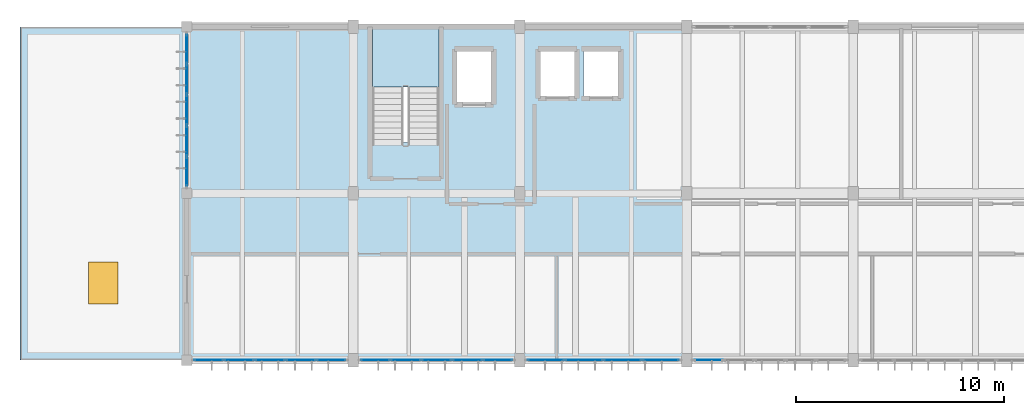
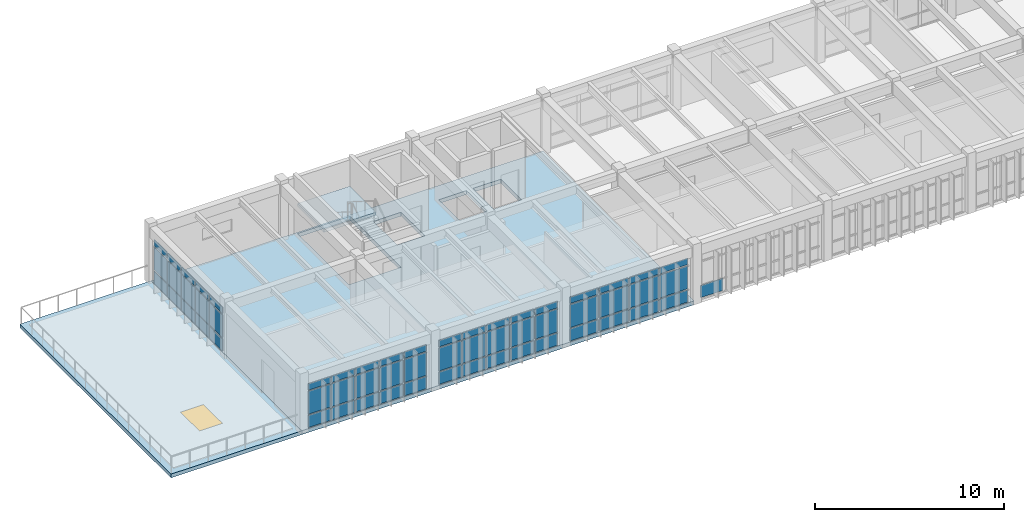
# One storey, part 8 of 15: 58 plates, 3 slabs, 1 window, 1 opening, 6 elements without a shape of their own.
"""IFC4 building model written with IfcOpenShell, lengths in metres."""

from ifc_helpers import new_model, si_unit, direction, frame, origin, origin_2d, place, context, subcontext, project, spatial, polyline, rectangle, outline, extrude, material, layer, layer_set, type_object, element, fill, aggregate, save


model = new_model("IFC4")

# Units and contexts
model_context = context("Model", 3, precision=1e-05, world=origin(), true_north=direction((0.0, 1.0)))
body_context = subcontext(model_context, "Body", "Model", "MODEL_VIEW")
ifc_project = project(units=[si_unit("LENGTHUNIT", "METRE"), si_unit("AREAUNIT", "SQUARE_METRE"), si_unit("VOLUMEUNIT", "CUBIC_METRE"), si_unit("PLANEANGLEUNIT", "RADIAN"), si_unit("MASSUNIT", "GRAM", prefix="KILO")], contexts=[model_context])

# Site, building, storey
site_placement = place(None, origin())
site = spatial("IfcSite", under=ifc_project, at=site_placement, CompositionType="ELEMENT")
building_placement = place(site_placement, origin())
building = spatial("IfcBuilding", under=site, at=building_placement, Name="Tlaxcora Railside Police Headquarters", CompositionType="ELEMENT")
storey_placement = place(building_placement, frame((0.0, 0.0, 25.800048828125)))
storey = spatial("IfcBuildingStorey", under=building, at=storey_placement, Name="L06", CompositionType="ELEMENT", Elevation=25.800048828125)

# Curtain wall, plate
ifc_material_1 = material(Name="Thermally broken low-E insulated glazing", Category="glass")
curtain_wall_type_1 = type_object("IfcCurtainWallType", Name="Unitised Curtain Wall Assembly CW-23", PredefinedType="NOTDEFINED", material=ifc_material_1)
curtain_wall_1_placement = place(storey_placement, origin())
curtain_wall_1 = element("IfcCurtainWall", 1, at=curtain_wall_1_placement, inside=storey, type_object=curtain_wall_type_1, Name="V5 L06 curtain wall 124", PredefinedType="NOTDEFINED")
ifc_layer_1 = layer(ifc_material_1, 0.0400390625, Name="Thermally broken low-E insulated glazing")
ifc_layer_set_1 = layer_set([ifc_layer_1], Name="Thermally broken low-E insulated glazing")
plate_type_1 = type_object("IfcPlateType", Name="Curtain Wall Infill Panel CW-17", PredefinedType="CURTAIN_PANEL", material=ifc_layer_set_1)
plate_1_placement = place(storey_placement, frame((38.260009765625, 76.800048828125, 0.080078125), z_axis=(0.0, 0.0, 1.0), x_axis=(1.0, 0.0, 0.0)))
plate_1 = element("IfcPlate", 2, at=plate_1_placement, type_object=plate_type_1, Name="CW panel 1.1", PredefinedType="CURTAIN_PANEL", context=body_context, shape_type="SweptSolid", body=[
    extrude(rectangle(XDim=1.360107421875, YDim=0.0400390625, at=origin_2d()), origin(), (0.0, 0.0, 1.0), 0.780029296875),
])
aggregate(curtain_wall_1, [plate_1])

# Curtain wall, plates
curtain_wall_2_placement = place(storey_placement, origin())
curtain_wall_2 = element("IfcCurtainWall", 3, at=curtain_wall_2_placement, inside=storey, type_object=curtain_wall_type_1, Name="V5 L06 curtain wall 132", PredefinedType="NOTDEFINED")
plate_2_placement = place(storey_placement, frame((13.199951171875, 91.739990234375, 0.080078125), z_axis=(0.0, 0.0, 1.0), x_axis=(0.0, -1.0, 0.0)))
plate_2 = element("IfcPlate", 4, at=plate_2_placement, type_object=plate_type_1, Name="CW panel 1.1", PredefinedType="CURTAIN_PANEL", context=body_context, shape_type="SweptSolid", body=[
    extrude(rectangle(XDim=1.360107421875, YDim=0.0400390625, at=origin_2d()), origin(), (0.0, 0.0, 1.0), 0.780029296875),
])
plate_3_placement = place(storey_placement, frame((13.199951171875, 91.739990234375, 0.93994140625), z_axis=(0.0, 0.0, 1.0), x_axis=(0.0, -1.0, 0.0)))
plate_3 = element("IfcPlate", 5, at=plate_3_placement, type_object=plate_type_1, Name="CW panel 1.2", PredefinedType="CURTAIN_PANEL", context=body_context, shape_type="SweptSolid", body=[
    extrude(rectangle(XDim=1.360107421875, YDim=0.0400390625, at=origin_2d()), origin(), (0.0, 0.0, 1.0), 1.47998046875),
])
plate_4_placement = place(storey_placement, frame((13.199951171875, 91.739990234375, 2.5), z_axis=(0.0, 0.0, 1.0), x_axis=(0.0, -1.0, 0.0)))
plate_4 = element("IfcPlate", 6, at=plate_4_placement, type_object=plate_type_1, Name="CW panel 1.3", PredefinedType="CURTAIN_PANEL", context=body_context, shape_type="SweptSolid", body=[
    extrude(rectangle(XDim=1.360107421875, YDim=0.0400390625, at=origin_2d()), origin(), (0.0, 0.0, 1.0), 0.409912109375),
])
plate_5_placement = place(storey_placement, frame((13.199951171875, 90.280029296875, 0.080078125), z_axis=(0.0, 0.0, 1.0), x_axis=(0.0, -1.0, 0.0)))
plate_5 = element("IfcPlate", 7, at=plate_5_placement, type_object=plate_type_1, Name="CW panel 2.1", PredefinedType="CURTAIN_PANEL", context=body_context, shape_type="SweptSolid", body=[
    extrude(rectangle(XDim=1.39990234375, YDim=0.0400390625, at=origin_2d()), origin(), (0.0, 0.0, 1.0), 0.780029296875),
])
plate_6_placement = place(storey_placement, frame((13.199951171875, 90.280029296875, 0.93994140625), z_axis=(0.0, 0.0, 1.0), x_axis=(0.0, -1.0, 0.0)))
plate_6 = element("IfcPlate", 8, at=plate_6_placement, type_object=plate_type_1, Name="CW panel 2.2", PredefinedType="CURTAIN_PANEL", context=body_context, shape_type="SweptSolid", body=[
    extrude(rectangle(XDim=1.39990234375, YDim=0.0400390625, at=origin_2d()), origin(), (0.0, 0.0, 1.0), 1.47998046875),
])
plate_7_placement = place(storey_placement, frame((13.199951171875, 90.280029296875, 2.5), z_axis=(0.0, 0.0, 1.0), x_axis=(0.0, -1.0, 0.0)))
plate_7 = element("IfcPlate", 9, at=plate_7_placement, type_object=plate_type_1, Name="CW panel 2.3", PredefinedType="CURTAIN_PANEL", context=body_context, shape_type="SweptSolid", body=[
    extrude(rectangle(XDim=1.39990234375, YDim=0.0400390625, at=origin_2d()), origin(), (0.0, 0.0, 1.0), 0.409912109375),
])
plate_8_placement = place(storey_placement, frame((13.199951171875, 88.800048828125, 0.080078125), z_axis=(0.0, 0.0, 1.0), x_axis=(0.0, -1.0, 0.0)))
plate_8 = element("IfcPlate", 10, at=plate_8_placement, type_object=plate_type_1, Name="CW panel 3.1", PredefinedType="CURTAIN_PANEL", context=body_context, shape_type="SweptSolid", body=[
    extrude(rectangle(XDim=1.39990234375, YDim=0.0400390625, at=origin_2d()), origin(), (0.0, 0.0, 1.0), 0.780029296875),
])
plate_9_placement = place(storey_placement, frame((13.199951171875, 88.800048828125, 0.93994140625), z_axis=(0.0, 0.0, 1.0), x_axis=(0.0, -1.0, 0.0)))
plate_9 = element("IfcPlate", 11, at=plate_9_placement, type_object=plate_type_1, Name="CW panel 3.2", PredefinedType="CURTAIN_PANEL", context=body_context, shape_type="SweptSolid", body=[
    extrude(rectangle(XDim=1.39990234375, YDim=0.0400390625, at=origin_2d()), origin(), (0.0, 0.0, 1.0), 1.47998046875),
])
plate_10_placement = place(storey_placement, frame((13.199951171875, 88.800048828125, 2.5), z_axis=(0.0, 0.0, 1.0), x_axis=(0.0, -1.0, 0.0)))
plate_10 = element("IfcPlate", 12, at=plate_10_placement, type_object=plate_type_1, Name="CW panel 3.3", PredefinedType="CURTAIN_PANEL", context=body_context, shape_type="SweptSolid", body=[
    extrude(rectangle(XDim=1.39990234375, YDim=0.0400390625, at=origin_2d()), origin(), (0.0, 0.0, 1.0), 0.409912109375),
])
plate_11_placement = place(storey_placement, frame((13.199951171875, 87.320068359375, 0.080078125), z_axis=(0.0, 0.0, 1.0), x_axis=(0.0, -1.0, 0.0)))
plate_11 = element("IfcPlate", 13, at=plate_11_placement, type_object=plate_type_1, Name="CW panel 4.1", PredefinedType="CURTAIN_PANEL", context=body_context, shape_type="SweptSolid", body=[
    extrude(rectangle(XDim=1.39990234375, YDim=0.0400390625, at=origin_2d()), origin(), (0.0, 0.0, 1.0), 0.780029296875),
])
plate_12_placement = place(storey_placement, frame((13.199951171875, 87.320068359375, 0.93994140625), z_axis=(0.0, 0.0, 1.0), x_axis=(0.0, -1.0, 0.0)))
plate_12 = element("IfcPlate", 14, at=plate_12_placement, type_object=plate_type_1, Name="CW panel 4.2", PredefinedType="CURTAIN_PANEL", context=body_context, shape_type="SweptSolid", body=[
    extrude(rectangle(XDim=1.39990234375, YDim=0.0400390625, at=origin_2d()), origin(), (0.0, 0.0, 1.0), 1.47998046875),
])
plate_13_placement = place(storey_placement, frame((13.199951171875, 87.320068359375, 2.5), z_axis=(0.0, 0.0, 1.0), x_axis=(0.0, -1.0, 0.0)))
plate_13 = element("IfcPlate", 15, at=plate_13_placement, type_object=plate_type_1, Name="CW panel 4.3", PredefinedType="CURTAIN_PANEL", context=body_context, shape_type="SweptSolid", body=[
    extrude(rectangle(XDim=1.39990234375, YDim=0.0400390625, at=origin_2d()), origin(), (0.0, 0.0, 1.0), 0.409912109375),
])
plate_14_placement = place(storey_placement, frame((13.199951171875, 85.860107421875, 0.080078125), z_axis=(0.0, 0.0, 1.0), x_axis=(0.0, -1.0, 0.0)))
plate_14 = element("IfcPlate", 16, at=plate_14_placement, type_object=plate_type_1, Name="CW panel 5.1", PredefinedType="CURTAIN_PANEL", context=body_context, shape_type="SweptSolid", body=[
    extrude(rectangle(XDim=1.360107421875, YDim=0.0400390625, at=origin_2d()), origin(), (0.0, 0.0, 1.0), 0.780029296875),
])
plate_15_placement = place(storey_placement, frame((13.199951171875, 85.860107421875, 0.93994140625), z_axis=(0.0, 0.0, 1.0), x_axis=(0.0, -1.0, 0.0)))
plate_15 = element("IfcPlate", 17, at=plate_15_placement, type_object=plate_type_1, Name="CW panel 5.2", PredefinedType="CURTAIN_PANEL", context=body_context, shape_type="SweptSolid", body=[
    extrude(rectangle(XDim=1.360107421875, YDim=0.0400390625, at=origin_2d()), origin(), (0.0, 0.0, 1.0), 1.47998046875),
])
plate_16_placement = place(storey_placement, frame((13.199951171875, 85.860107421875, 2.5), z_axis=(0.0, 0.0, 1.0), x_axis=(0.0, -1.0, 0.0)))
plate_16 = element("IfcPlate", 18, at=plate_16_placement, type_object=plate_type_1, Name="CW panel 5.3", PredefinedType="CURTAIN_PANEL", context=body_context, shape_type="SweptSolid", body=[
    extrude(rectangle(XDim=1.360107421875, YDim=0.0400390625, at=origin_2d()), origin(), (0.0, 0.0, 1.0), 0.409912109375),
])
aggregate(curtain_wall_2, [plate_2, plate_3, plate_4, plate_5, plate_6, plate_7, plate_8, plate_9, plate_10, plate_11, plate_12, plate_13, plate_14, plate_15, plate_16])

curtain_wall_type_2 = type_object("IfcCurtainWallType", Name="Unitised Curtain Wall Assembly CW-15", PredefinedType="NOTDEFINED", material=ifc_material_1)
curtain_wall_3_placement = place(storey_placement, origin())
curtain_wall_3 = element("IfcCurtainWall", 19, at=curtain_wall_3_placement, inside=storey, type_object=curtain_wall_type_2, Name="V5 L06 curtain wall 122", PredefinedType="NOTDEFINED")
ifc_layer_2 = layer(ifc_material_1, 0.031982421875, Name="Thermally broken low-E insulated glazing")
ifc_layer_set_2 = layer_set([ifc_layer_2], Name="Thermally broken low-E insulated glazing")
plate_type_2 = type_object("IfcPlateType", Name="Curtain Wall Infill Panel CW-41", PredefinedType="CURTAIN_PANEL", material=ifc_layer_set_2)
plate_17_placement = place(storey_placement, frame((22.2587890625, 76.800048828125, 0.074951171875), z_axis=(0.0, 0.0, 1.0), x_axis=(1.0, 0.0, 0.0)))
plate_17 = element("IfcPlate", 20, at=plate_17_placement, type_object=plate_type_2, Name="CW panel 1.1", PredefinedType="CURTAIN_PANEL", context=body_context, shape_type="SweptSolid", body=[
    extrude(rectangle(XDim=1.367431640625, YDim=0.031982421875, at=origin_2d()), origin(), (0.0, 0.0, 1.0), 0.78759765625),
])
plate_18_placement = place(storey_placement, frame((22.2587890625, 76.800048828125, 0.9375), z_axis=(0.0, 0.0, 1.0), x_axis=(1.0, 0.0, 0.0)))
plate_18 = element("IfcPlate", 21, at=plate_18_placement, type_object=plate_type_2, Name="CW panel 1.2", PredefinedType="CURTAIN_PANEL", context=body_context, shape_type="SweptSolid", body=[
    extrude(rectangle(XDim=1.367431640625, YDim=0.031982421875, at=origin_2d()), origin(), (0.0, 0.0, 1.0), 1.485107421875),
])
plate_19_placement = place(storey_placement, frame((22.2587890625, 76.800048828125, 2.49755859375), z_axis=(0.0, 0.0, 1.0), x_axis=(1.0, 0.0, 0.0)))
plate_19 = element("IfcPlate", 22, at=plate_19_placement, type_object=plate_type_2, Name="CW panel 1.3", PredefinedType="CURTAIN_PANEL", context=body_context, shape_type="SweptSolid", body=[
    extrude(rectangle(XDim=1.367431640625, YDim=0.031982421875, at=origin_2d()), origin(), (0.0, 0.0, 1.0), 0.41748046875),
])
plate_20_placement = place(storey_placement, frame((23.719970703125, 76.800048828125, 0.074951171875), z_axis=(0.0, 0.0, 1.0), x_axis=(1.0, 0.0, 0.0)))
plate_20 = element("IfcPlate", 23, at=plate_20_placement, type_object=plate_type_2, Name="CW panel 2.1", PredefinedType="CURTAIN_PANEL", context=body_context, shape_type="SweptSolid", body=[
    extrude(rectangle(XDim=1.405029296875, YDim=0.031982421875, at=origin_2d()), origin(), (0.0, 0.0, 1.0), 0.78759765625),
])
plate_21_placement = place(storey_placement, frame((23.719970703125, 76.800048828125, 0.9375), z_axis=(0.0, 0.0, 1.0), x_axis=(1.0, 0.0, 0.0)))
plate_21 = element("IfcPlate", 24, at=plate_21_placement, type_object=plate_type_2, Name="CW panel 2.2", PredefinedType="CURTAIN_PANEL", context=body_context, shape_type="SweptSolid", body=[
    extrude(rectangle(XDim=1.405029296875, YDim=0.031982421875, at=origin_2d()), origin(), (0.0, 0.0, 1.0), 1.485107421875),
])
plate_22_placement = place(storey_placement, frame((23.719970703125, 76.800048828125, 2.49755859375), z_axis=(0.0, 0.0, 1.0), x_axis=(1.0, 0.0, 0.0)))
plate_22 = element("IfcPlate", 25, at=plate_22_placement, type_object=plate_type_2, Name="CW panel 2.3", PredefinedType="CURTAIN_PANEL", context=body_context, shape_type="SweptSolid", body=[
    extrude(rectangle(XDim=1.405029296875, YDim=0.031982421875, at=origin_2d()), origin(), (0.0, 0.0, 1.0), 0.41748046875),
])
plate_23_placement = place(storey_placement, frame((25.199951171875, 76.800048828125, 0.074951171875), z_axis=(0.0, 0.0, 1.0), x_axis=(1.0, 0.0, 0.0)))
plate_23 = element("IfcPlate", 26, at=plate_23_placement, type_object=plate_type_2, Name="CW panel 3.1", PredefinedType="CURTAIN_PANEL", context=body_context, shape_type="SweptSolid", body=[
    extrude(rectangle(XDim=1.405029296875, YDim=0.031982421875, at=origin_2d()), origin(), (0.0, 0.0, 1.0), 0.78759765625),
])
plate_24_placement = place(storey_placement, frame((25.199951171875, 76.800048828125, 0.9375), z_axis=(0.0, 0.0, 1.0), x_axis=(1.0, 0.0, 0.0)))
plate_24 = element("IfcPlate", 27, at=plate_24_placement, type_object=plate_type_2, Name="CW panel 3.2", PredefinedType="CURTAIN_PANEL", context=body_context, shape_type="SweptSolid", body=[
    extrude(rectangle(XDim=1.405029296875, YDim=0.031982421875, at=origin_2d()), origin(), (0.0, 0.0, 1.0), 1.485107421875),
])
plate_25_placement = place(storey_placement, frame((25.199951171875, 76.800048828125, 2.49755859375), z_axis=(0.0, 0.0, 1.0), x_axis=(1.0, 0.0, 0.0)))
plate_25 = element("IfcPlate", 28, at=plate_25_placement, type_object=plate_type_2, Name="CW panel 3.3", PredefinedType="CURTAIN_PANEL", context=body_context, shape_type="SweptSolid", body=[
    extrude(rectangle(XDim=1.405029296875, YDim=0.031982421875, at=origin_2d()), origin(), (0.0, 0.0, 1.0), 0.41748046875),
])
plate_26_placement = place(storey_placement, frame((26.679931640625, 76.800048828125, 0.074951171875), z_axis=(0.0, 0.0, 1.0), x_axis=(1.0, 0.0, 0.0)))
plate_26 = element("IfcPlate", 29, at=plate_26_placement, type_object=plate_type_2, Name="CW panel 4.1", PredefinedType="CURTAIN_PANEL", context=body_context, shape_type="SweptSolid", body=[
    extrude(rectangle(XDim=1.405029296875, YDim=0.031982421875, at=origin_2d()), origin(), (0.0, 0.0, 1.0), 0.78759765625),
])
plate_27_placement = place(storey_placement, frame((26.679931640625, 76.800048828125, 0.9375), z_axis=(0.0, 0.0, 1.0), x_axis=(1.0, 0.0, 0.0)))
plate_27 = element("IfcPlate", 30, at=plate_27_placement, type_object=plate_type_2, Name="CW panel 4.2", PredefinedType="CURTAIN_PANEL", context=body_context, shape_type="SweptSolid", body=[
    extrude(rectangle(XDim=1.405029296875, YDim=0.031982421875, at=origin_2d()), origin(), (0.0, 0.0, 1.0), 1.485107421875),
])
plate_28_placement = place(storey_placement, frame((26.679931640625, 76.800048828125, 2.49755859375), z_axis=(0.0, 0.0, 1.0), x_axis=(1.0, 0.0, 0.0)))
plate_28 = element("IfcPlate", 31, at=plate_28_placement, type_object=plate_type_2, Name="CW panel 4.3", PredefinedType="CURTAIN_PANEL", context=body_context, shape_type="SweptSolid", body=[
    extrude(rectangle(XDim=1.405029296875, YDim=0.031982421875, at=origin_2d()), origin(), (0.0, 0.0, 1.0), 0.41748046875),
])
plate_29_placement = place(storey_placement, frame((28.141357421875, 76.800048828125, 0.074951171875), z_axis=(0.0, 0.0, 1.0), x_axis=(1.0, 0.0, 0.0)))
plate_29 = element("IfcPlate", 32, at=plate_29_placement, type_object=plate_type_2, Name="CW panel 5.1", PredefinedType="CURTAIN_PANEL", context=body_context, shape_type="SweptSolid", body=[
    extrude(rectangle(XDim=1.367431640625, YDim=0.031982421875, at=origin_2d()), origin(), (0.0, 0.0, 1.0), 0.78759765625),
])
plate_30_placement = place(storey_placement, frame((28.141357421875, 76.800048828125, 0.9375), z_axis=(0.0, 0.0, 1.0), x_axis=(1.0, 0.0, 0.0)))
plate_30 = element("IfcPlate", 33, at=plate_30_placement, type_object=plate_type_2, Name="CW panel 5.2", PredefinedType="CURTAIN_PANEL", context=body_context, shape_type="SweptSolid", body=[
    extrude(rectangle(XDim=1.367431640625, YDim=0.031982421875, at=origin_2d()), origin(), (0.0, 0.0, 1.0), 1.485107421875),
])
plate_31_placement = place(storey_placement, frame((28.141357421875, 76.800048828125, 2.49755859375), z_axis=(0.0, 0.0, 1.0), x_axis=(1.0, 0.0, 0.0)))
plate_31 = element("IfcPlate", 34, at=plate_31_placement, type_object=plate_type_2, Name="CW panel 5.3", PredefinedType="CURTAIN_PANEL", context=body_context, shape_type="SweptSolid", body=[
    extrude(rectangle(XDim=1.367431640625, YDim=0.031982421875, at=origin_2d()), origin(), (0.0, 0.0, 1.0), 0.41748046875),
])
aggregate(curtain_wall_3, [plate_17, plate_18, plate_19, plate_20, plate_21, plate_22, plate_23, plate_24, plate_25, plate_26, plate_27, plate_28, plate_29, plate_30, plate_31])

curtain_wall_type_3 = type_object("IfcCurtainWallType", Name="Unitised Curtain Wall Assembly CW-83", PredefinedType="NOTDEFINED", material=ifc_material_1)
curtain_wall_4_placement = place(storey_placement, origin())
curtain_wall_4 = element("IfcCurtainWall", 35, at=curtain_wall_4_placement, inside=storey, type_object=curtain_wall_type_3, Name="V5 L06 curtain wall 123", PredefinedType="NOTDEFINED")
ifc_layer_3 = layer(ifc_material_1, 0.035888671875, Name="Thermally broken low-E insulated glazing")
ifc_layer_set_3 = layer_set([ifc_layer_3], Name="Thermally broken low-E insulated glazing")
plate_type_3 = type_object("IfcPlateType", Name="Curtain Wall Infill Panel CW-72", PredefinedType="CURTAIN_PANEL", material=ifc_layer_set_3)
plate_32_placement = place(storey_placement, frame((30.445068359375, 76.800048828125, 0.080078125), z_axis=(0.0, 0.0, 1.0), x_axis=(1.0, 0.0, 0.0)))
plate_32 = element("IfcPlate", 36, at=plate_32_placement, type_object=plate_type_3, Name="CW panel 1.1", PredefinedType="CURTAIN_PANEL", context=body_context, shape_type="SweptSolid", body=[
    extrude(rectangle(XDim=1.72998046875, YDim=0.035888671875, at=origin_2d()), origin(), (0.0, 0.0, 1.0), 0.780029296875),
])
plate_33_placement = place(storey_placement, frame((30.445068359375, 76.800048828125, 0.93994140625), z_axis=(0.0, 0.0, 1.0), x_axis=(1.0, 0.0, 0.0)))
plate_33 = element("IfcPlate", 37, at=plate_33_placement, type_object=plate_type_3, Name="CW panel 1.2", PredefinedType="CURTAIN_PANEL", context=body_context, shape_type="SweptSolid", body=[
    extrude(rectangle(XDim=1.72998046875, YDim=0.035888671875, at=origin_2d()), origin(), (0.0, 0.0, 1.0), 1.47998046875),
])
plate_34_placement = place(storey_placement, frame((30.445068359375, 76.800048828125, 2.5), z_axis=(0.0, 0.0, 1.0), x_axis=(1.0, 0.0, 0.0)))
plate_34 = element("IfcPlate", 38, at=plate_34_placement, type_object=plate_type_3, Name="CW panel 1.3", PredefinedType="CURTAIN_PANEL", context=body_context, shape_type="SweptSolid", body=[
    extrude(rectangle(XDim=1.72998046875, YDim=0.035888671875, at=origin_2d()), origin(), (0.0, 0.0, 1.0), 0.409912109375),
])
plate_35_placement = place(storey_placement, frame((32.27490234375, 76.800048828125, 0.080078125), z_axis=(0.0, 0.0, 1.0), x_axis=(1.0, 0.0, 0.0)))
plate_35 = element("IfcPlate", 39, at=plate_35_placement, type_object=plate_type_3, Name="CW panel 2.1", PredefinedType="CURTAIN_PANEL", context=body_context, shape_type="SweptSolid", body=[
    extrude(rectangle(XDim=1.77001953125, YDim=0.035888671875, at=origin_2d()), origin(), (0.0, 0.0, 1.0), 0.780029296875),
])
plate_36_placement = place(storey_placement, frame((32.27490234375, 76.800048828125, 0.93994140625), z_axis=(0.0, 0.0, 1.0), x_axis=(1.0, 0.0, 0.0)))
plate_36 = element("IfcPlate", 40, at=plate_36_placement, type_object=plate_type_3, Name="CW panel 2.2", PredefinedType="CURTAIN_PANEL", context=body_context, shape_type="SweptSolid", body=[
    extrude(rectangle(XDim=1.77001953125, YDim=0.035888671875, at=origin_2d()), origin(), (0.0, 0.0, 1.0), 1.47998046875),
])
plate_37_placement = place(storey_placement, frame((32.27490234375, 76.800048828125, 2.5), z_axis=(0.0, 0.0, 1.0), x_axis=(1.0, 0.0, 0.0)))
plate_37 = element("IfcPlate", 41, at=plate_37_placement, type_object=plate_type_3, Name="CW panel 2.3", PredefinedType="CURTAIN_PANEL", context=body_context, shape_type="SweptSolid", body=[
    extrude(rectangle(XDim=1.77001953125, YDim=0.035888671875, at=origin_2d()), origin(), (0.0, 0.0, 1.0), 0.409912109375),
])
plate_38_placement = place(storey_placement, frame((34.125, 76.800048828125, 0.080078125), z_axis=(0.0, 0.0, 1.0), x_axis=(1.0, 0.0, 0.0)))
plate_38 = element("IfcPlate", 42, at=plate_38_placement, type_object=plate_type_3, Name="CW panel 3.1", PredefinedType="CURTAIN_PANEL", context=body_context, shape_type="SweptSolid", body=[
    extrude(rectangle(XDim=1.77001953125, YDim=0.035888671875, at=origin_2d()), origin(), (0.0, 0.0, 1.0), 0.780029296875),
])
plate_39_placement = place(storey_placement, frame((34.125, 76.800048828125, 0.93994140625), z_axis=(0.0, 0.0, 1.0), x_axis=(1.0, 0.0, 0.0)))
plate_39 = element("IfcPlate", 43, at=plate_39_placement, type_object=plate_type_3, Name="CW panel 3.2", PredefinedType="CURTAIN_PANEL", context=body_context, shape_type="SweptSolid", body=[
    extrude(rectangle(XDim=1.77001953125, YDim=0.035888671875, at=origin_2d()), origin(), (0.0, 0.0, 1.0), 1.47998046875),
])
plate_40_placement = place(storey_placement, frame((34.125, 76.800048828125, 2.5), z_axis=(0.0, 0.0, 1.0), x_axis=(1.0, 0.0, 0.0)))
plate_40 = element("IfcPlate", 44, at=plate_40_placement, type_object=plate_type_3, Name="CW panel 3.3", PredefinedType="CURTAIN_PANEL", context=body_context, shape_type="SweptSolid", body=[
    extrude(rectangle(XDim=1.77001953125, YDim=0.035888671875, at=origin_2d()), origin(), (0.0, 0.0, 1.0), 0.409912109375),
])
plate_41_placement = place(storey_placement, frame((35.955078125, 76.800048828125, 0.080078125), z_axis=(0.0, 0.0, 1.0), x_axis=(1.0, 0.0, 0.0)))
plate_41 = element("IfcPlate", 45, at=plate_41_placement, type_object=plate_type_3, Name="CW panel 4.1", PredefinedType="CURTAIN_PANEL", context=body_context, shape_type="SweptSolid", body=[
    extrude(rectangle(XDim=1.72998046875, YDim=0.035888671875, at=origin_2d()), origin(), (0.0, 0.0, 1.0), 0.780029296875),
])
plate_42_placement = place(storey_placement, frame((35.955078125, 76.800048828125, 0.93994140625), z_axis=(0.0, 0.0, 1.0), x_axis=(1.0, 0.0, 0.0)))
plate_42 = element("IfcPlate", 46, at=plate_42_placement, type_object=plate_type_3, Name="CW panel 4.2", PredefinedType="CURTAIN_PANEL", context=body_context, shape_type="SweptSolid", body=[
    extrude(rectangle(XDim=1.72998046875, YDim=0.035888671875, at=origin_2d()), origin(), (0.0, 0.0, 1.0), 1.47998046875),
])
plate_43_placement = place(storey_placement, frame((35.955078125, 76.800048828125, 2.5), z_axis=(0.0, 0.0, 1.0), x_axis=(1.0, 0.0, 0.0)))
plate_43 = element("IfcPlate", 47, at=plate_43_placement, type_object=plate_type_3, Name="CW panel 4.3", PredefinedType="CURTAIN_PANEL", context=body_context, shape_type="SweptSolid", body=[
    extrude(rectangle(XDim=1.72998046875, YDim=0.035888671875, at=origin_2d()), origin(), (0.0, 0.0, 1.0), 0.409912109375),
])
aggregate(curtain_wall_4, [plate_32, plate_33, plate_34, plate_35, plate_36, plate_37, plate_38, plate_39, plate_40, plate_41, plate_42, plate_43])

curtain_wall_type_4 = type_object("IfcCurtainWallType", Name="Unitised Curtain Wall Assembly CW-38", PredefinedType="NOTDEFINED", material=ifc_material_1)
curtain_wall_5_placement = place(storey_placement, origin())
curtain_wall_5 = element("IfcCurtainWall", 48, at=curtain_wall_5_placement, inside=storey, type_object=curtain_wall_type_4, Name="V5 L06 curtain wall 121", PredefinedType="NOTDEFINED")
ifc_layer_4 = layer(ifc_material_1, 0.028076171875, Name="Thermally broken low-E insulated glazing")
ifc_layer_set_4 = layer_set([ifc_layer_4], Name="Thermally broken low-E insulated glazing")
plate_type_4 = type_object("IfcPlateType", Name="Curtain Wall Infill Panel CW-92", PredefinedType="CURTAIN_PANEL", material=ifc_layer_set_4)
plate_44_placement = place(storey_placement, frame((14.2587890625, 76.800048828125, 0.074951171875), z_axis=(0.0, 0.0, 1.0), x_axis=(1.0, 0.0, 0.0)))
plate_44 = element("IfcPlate", 49, at=plate_44_placement, type_object=plate_type_4, Name="CW panel 1.1", PredefinedType="CURTAIN_PANEL", context=body_context, shape_type="SweptSolid", body=[
    extrude(rectangle(XDim=1.367431640625, YDim=0.028076171875, at=origin_2d()), origin(), (0.0, 0.0, 1.0), 0.78759765625),
])
plate_45_placement = place(storey_placement, frame((14.2587890625, 76.800048828125, 0.9375), z_axis=(0.0, 0.0, 1.0), x_axis=(1.0, 0.0, 0.0)))
plate_45 = element("IfcPlate", 50, at=plate_45_placement, type_object=plate_type_4, Name="CW panel 1.2", PredefinedType="CURTAIN_PANEL", context=body_context, shape_type="SweptSolid", body=[
    extrude(rectangle(XDim=1.367431640625, YDim=0.028076171875, at=origin_2d()), origin(), (0.0, 0.0, 1.0), 1.485107421875),
])
plate_46_placement = place(storey_placement, frame((14.2587890625, 76.800048828125, 2.49755859375), z_axis=(0.0, 0.0, 1.0), x_axis=(1.0, 0.0, 0.0)))
plate_46 = element("IfcPlate", 51, at=plate_46_placement, type_object=plate_type_4, Name="CW panel 1.3", PredefinedType="CURTAIN_PANEL", context=body_context, shape_type="SweptSolid", body=[
    extrude(rectangle(XDim=1.367431640625, YDim=0.028076171875, at=origin_2d()), origin(), (0.0, 0.0, 1.0), 0.41748046875),
])
plate_47_placement = place(storey_placement, frame((15.719970703125, 76.800048828125, 0.074951171875), z_axis=(0.0, 0.0, 1.0), x_axis=(1.0, 0.0, 0.0)))
plate_47 = element("IfcPlate", 52, at=plate_47_placement, type_object=plate_type_4, Name="CW panel 2.1", PredefinedType="CURTAIN_PANEL", context=body_context, shape_type="SweptSolid", body=[
    extrude(rectangle(XDim=1.405029296875, YDim=0.028076171875, at=origin_2d()), origin(), (0.0, 0.0, 1.0), 0.78759765625),
])
plate_48_placement = place(storey_placement, frame((15.719970703125, 76.800048828125, 0.9375), z_axis=(0.0, 0.0, 1.0), x_axis=(1.0, 0.0, 0.0)))
plate_48 = element("IfcPlate", 53, at=plate_48_placement, type_object=plate_type_4, Name="CW panel 2.2", PredefinedType="CURTAIN_PANEL", context=body_context, shape_type="SweptSolid", body=[
    extrude(rectangle(XDim=1.405029296875, YDim=0.028076171875, at=origin_2d()), origin(), (0.0, 0.0, 1.0), 1.485107421875),
])
plate_49_placement = place(storey_placement, frame((15.719970703125, 76.800048828125, 2.49755859375), z_axis=(0.0, 0.0, 1.0), x_axis=(1.0, 0.0, 0.0)))
plate_49 = element("IfcPlate", 54, at=plate_49_placement, type_object=plate_type_4, Name="CW panel 2.3", PredefinedType="CURTAIN_PANEL", context=body_context, shape_type="SweptSolid", body=[
    extrude(rectangle(XDim=1.405029296875, YDim=0.028076171875, at=origin_2d()), origin(), (0.0, 0.0, 1.0), 0.41748046875),
])
plate_50_placement = place(storey_placement, frame((17.199951171875, 76.800048828125, 0.074951171875), z_axis=(0.0, 0.0, 1.0), x_axis=(1.0, 0.0, 0.0)))
plate_50 = element("IfcPlate", 55, at=plate_50_placement, type_object=plate_type_4, Name="CW panel 3.1", PredefinedType="CURTAIN_PANEL", context=body_context, shape_type="SweptSolid", body=[
    extrude(rectangle(XDim=1.405029296875, YDim=0.028076171875, at=origin_2d()), origin(), (0.0, 0.0, 1.0), 0.78759765625),
])
plate_51_placement = place(storey_placement, frame((17.199951171875, 76.800048828125, 0.9375), z_axis=(0.0, 0.0, 1.0), x_axis=(1.0, 0.0, 0.0)))
plate_51 = element("IfcPlate", 56, at=plate_51_placement, type_object=plate_type_4, Name="CW panel 3.2", PredefinedType="CURTAIN_PANEL", context=body_context, shape_type="SweptSolid", body=[
    extrude(rectangle(XDim=1.405029296875, YDim=0.028076171875, at=origin_2d()), origin(), (0.0, 0.0, 1.0), 1.485107421875),
])
plate_52_placement = place(storey_placement, frame((17.199951171875, 76.800048828125, 2.49755859375), z_axis=(0.0, 0.0, 1.0), x_axis=(1.0, 0.0, 0.0)))
plate_52 = element("IfcPlate", 57, at=plate_52_placement, type_object=plate_type_4, Name="CW panel 3.3", PredefinedType="CURTAIN_PANEL", context=body_context, shape_type="SweptSolid", body=[
    extrude(rectangle(XDim=1.405029296875, YDim=0.028076171875, at=origin_2d()), origin(), (0.0, 0.0, 1.0), 0.41748046875),
])
plate_53_placement = place(storey_placement, frame((18.679931640625, 76.800048828125, 0.074951171875), z_axis=(0.0, 0.0, 1.0), x_axis=(1.0, 0.0, 0.0)))
plate_53 = element("IfcPlate", 58, at=plate_53_placement, type_object=plate_type_4, Name="CW panel 4.1", PredefinedType="CURTAIN_PANEL", context=body_context, shape_type="SweptSolid", body=[
    extrude(rectangle(XDim=1.405029296875, YDim=0.028076171875, at=origin_2d()), origin(), (0.0, 0.0, 1.0), 0.78759765625),
])
plate_54_placement = place(storey_placement, frame((18.679931640625, 76.800048828125, 0.9375), z_axis=(0.0, 0.0, 1.0), x_axis=(1.0, 0.0, 0.0)))
plate_54 = element("IfcPlate", 59, at=plate_54_placement, type_object=plate_type_4, Name="CW panel 4.2", PredefinedType="CURTAIN_PANEL", context=body_context, shape_type="SweptSolid", body=[
    extrude(rectangle(XDim=1.405029296875, YDim=0.028076171875, at=origin_2d()), origin(), (0.0, 0.0, 1.0), 1.485107421875),
])
plate_55_placement = place(storey_placement, frame((18.679931640625, 76.800048828125, 2.49755859375), z_axis=(0.0, 0.0, 1.0), x_axis=(1.0, 0.0, 0.0)))
plate_55 = element("IfcPlate", 60, at=plate_55_placement, type_object=plate_type_4, Name="CW panel 4.3", PredefinedType="CURTAIN_PANEL", context=body_context, shape_type="SweptSolid", body=[
    extrude(rectangle(XDim=1.405029296875, YDim=0.028076171875, at=origin_2d()), origin(), (0.0, 0.0, 1.0), 0.41748046875),
])
plate_56_placement = place(storey_placement, frame((20.141357421875, 76.800048828125, 0.074951171875), z_axis=(0.0, 0.0, 1.0), x_axis=(1.0, 0.0, 0.0)))
plate_56 = element("IfcPlate", 61, at=plate_56_placement, type_object=plate_type_4, Name="CW panel 5.1", PredefinedType="CURTAIN_PANEL", context=body_context, shape_type="SweptSolid", body=[
    extrude(rectangle(XDim=1.367431640625, YDim=0.028076171875, at=origin_2d()), origin(), (0.0, 0.0, 1.0), 0.78759765625),
])
plate_57_placement = place(storey_placement, frame((20.141357421875, 76.800048828125, 0.9375), z_axis=(0.0, 0.0, 1.0), x_axis=(1.0, 0.0, 0.0)))
plate_57 = element("IfcPlate", 62, at=plate_57_placement, type_object=plate_type_4, Name="CW panel 5.2", PredefinedType="CURTAIN_PANEL", context=body_context, shape_type="SweptSolid", body=[
    extrude(rectangle(XDim=1.367431640625, YDim=0.028076171875, at=origin_2d()), origin(), (0.0, 0.0, 1.0), 1.485107421875),
])
plate_58_placement = place(storey_placement, frame((20.141357421875, 76.800048828125, 2.49755859375), z_axis=(0.0, 0.0, 1.0), x_axis=(1.0, 0.0, 0.0)))
plate_58 = element("IfcPlate", 63, at=plate_58_placement, type_object=plate_type_4, Name="CW panel 5.3", PredefinedType="CURTAIN_PANEL", context=body_context, shape_type="SweptSolid", body=[
    extrude(rectangle(XDim=1.367431640625, YDim=0.028076171875, at=origin_2d()), origin(), (0.0, 0.0, 1.0), 0.41748046875),
])
aggregate(curtain_wall_5, [plate_44, plate_45, plate_46, plate_47, plate_48, plate_49, plate_50, plate_51, plate_52, plate_53, plate_54, plate_55, plate_56, plate_57, plate_58])

# Stair, slab
ifc_material_2 = material(Name="Concrete C40/50", Category="concrete")
stair_type = type_object("IfcStairType", Name="Half-Turn Dog-Leg Stair ST-30", PredefinedType="HALF_TURN_STAIR", material=ifc_material_2)
stair_placement = place(storey_placement, origin())
stair = element("IfcStair", 64, at=stair_placement, inside=storey, type_object=stair_type, Name="L06 ST1", PredefinedType="HALF_TURN_STAIR")
ifc_material_3 = material(Name="Concrete C35/45", Category="concrete")
ifc_layer_5 = layer(ifc_material_3, 0.199951171875, Name="Concrete C35/45")
ifc_layer_set_5 = layer_set([ifc_layer_5], Name="Concrete C35/45")
slab_type_1 = type_object("IfcSlabType", Name="Stair Landing Slab SL-23", PredefinedType="LANDING", material=ifc_layer_set_5)
slab_1_placement = place(storey_placement, frame((0.0, 0.0, 1.75)))
slab_1 = element("IfcSlab", 65, at=slab_1_placement, type_object=slab_type_1, Name="ST1 landing 1", PredefinedType="LANDING", context=body_context, shape_type="SweptSolid", body=[
    extrude(outline(polyline([(25.31005859375, 89.909912109375), (25.31005859375, 92.68994140625), (22.110107421875, 92.68994140625), (22.110107421875, 89.909912109375), (25.31005859375, 89.909912109375)])), origin(), (0.0, 0.0, 1.0), 0.199951171875),
])
aggregate(stair, [slab_1])

# Slab
ifc_layer_6 = layer(ifc_material_3, 0.25, Name="Concrete C35/45")
ifc_layer_set_6 = layer_set([ifc_layer_6], Name="Concrete C35/45")
slab_type_2 = type_object("IfcSlabType", Name="Suspended Floor Slab SL-22", PredefinedType="FLOOR", material=ifc_layer_set_6)
slab_2_placement = place(storey_placement, frame((0.0, 0.0, -0.25)))
element("IfcSlab", 66, at=slab_2_placement, inside=storey, type_object=slab_type_2, Name="V5 L06 floor slab zone 1", PredefinedType="FLOOR", context=body_context, shape_type="SweptSolid", body=[
    extrude(outline(polyline([(37.199951171875, 92.800048828125), (13.199951171875, 92.800048828125), (13.199951171875, 76.800048828125), (37.199951171875, 76.800048828125), (37.199951171875, 92.800048828125)]), holes=[polyline([(22.110107421875, 92.68994140625), (25.31005859375, 92.68994140625), (25.31005859375, 87.25), (22.110107421875, 87.25), (22.110107421875, 92.68994140625)]), polyline([(27.85009765625, 91.64990234375), (27.85009765625, 89.14990234375), (26.14990234375, 89.14990234375), (26.14990234375, 91.64990234375), (27.85009765625, 91.64990234375)]), polyline([(31.85009765625, 89.449951171875), (30.14990234375, 89.449951171875), (30.14990234375, 91.64990234375), (31.85009765625, 91.64990234375), (31.85009765625, 89.449951171875)]), polyline([(32.25, 89.449951171875), (32.25, 91.64990234375), (33.949951171875, 91.64990234375), (33.949951171875, 89.449951171875), (32.25, 89.449951171875)])]), origin(), (0.0, 0.0, 1.0), 0.25),
])

# Slab, opening, window
ifc_layer_7 = layer(ifc_material_2, 0.2451171875, Name="Concrete C40/50")
ifc_layer_set_7 = layer_set([ifc_layer_7], Name="Concrete C40/50")
slab_type_3 = type_object("IfcSlabType", Name="Suspended Floor Slab SL-67", PredefinedType="FLOOR", material=ifc_layer_set_7)
slab_3_placement = place(storey_placement, frame((0.0, 0.0, -0.2451171875)))
slab_3 = element("IfcSlab", 67, at=slab_3_placement, inside=storey, type_object=slab_type_3, Name="V5 L06 planted terrace slab", PredefinedType="FLOOR", context=body_context, shape_type="SweptSolid", body=[
    extrude(outline(polyline([(13.199951171875, 76.800048828125), (13.199951171875, 92.800048828125), (5.199951171875, 92.800048828125), (5.199951171875, 76.800048828125), (13.199951171875, 76.800048828125)])), origin(), (0.0, 0.0, 1.0), 0.2451171875),
])
opening_placement = place(slab_3_placement, frame((9.199951171875, 80.5, -0.010009765625)))
opening = element("IfcOpeningElement", 68, at=opening_placement, cuts=slab_3, Name="Opening WN-87", PredefinedType="OPENING", context=body_context, shape_type="SweptSolid", body=[
    extrude(rectangle(XDim=1.39990234375, YDim=2.0, at=origin_2d()), origin(), (0.0, 0.0, 1.0), 0.26513671875),
])
window_type = type_object("IfcWindowType", Name="Roof Skylight WN-87", PartitioningType="SINGLE_PANEL", PredefinedType="SKYLIGHT", material=ifc_material_1)
window_placement = place(opening_placement, frame((0.0, 0.0, 0.205078125)))
window = element("IfcWindow", 69, at=window_placement, inside=storey, type_object=window_type, Name="Roof skylight 09", OverallHeight=2.0, OverallWidth=1.39990234375, PartitioningType="SINGLE_PANEL", PredefinedType="SKYLIGHT", context=body_context, shape_type="SweptSolid", body=[
    extrude(rectangle(XDim=1.39990234375, YDim=2.0, at=origin_2d()), origin(), (0.0, 0.0, 1.0), 0.050048828125),
])
fill(opening, window)

save(model, "model.ifc")
